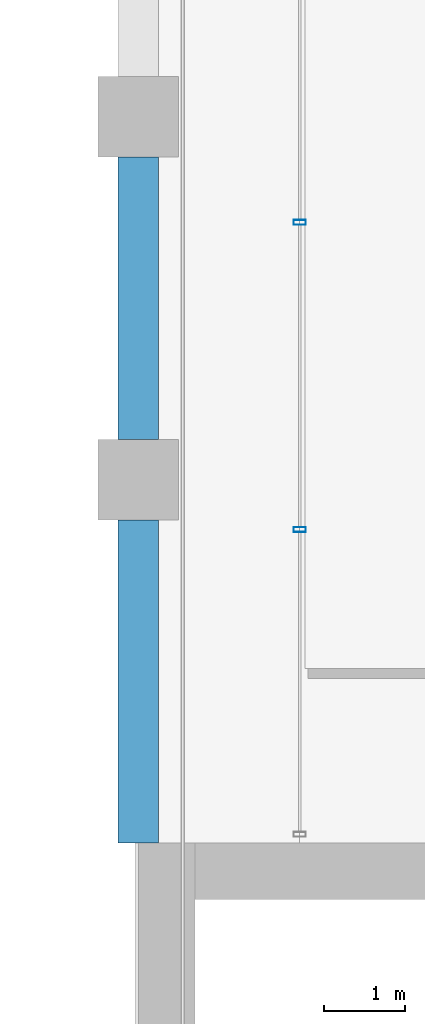
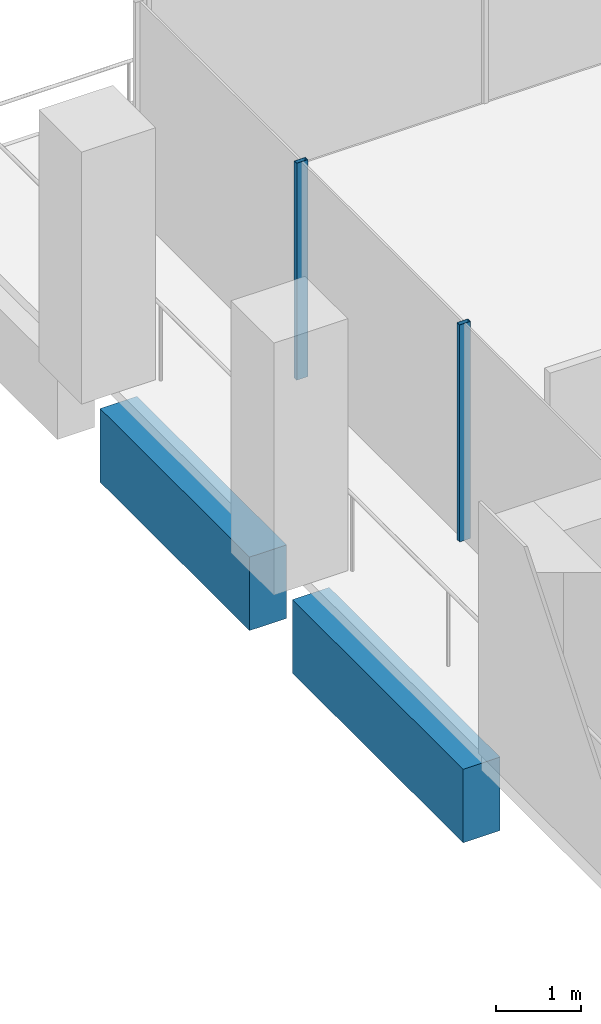
# One storey, part 20 of 46: 2 beams, 2 members, 1 element without a shape of its own.
"""IFC4 building model written with IfcOpenShell, lengths in metres."""

from ifc_helpers import new_model, si_unit, direction, frame, origin, origin_2d, place, context, subcontext, project, spatial, rectangle, hollow_rectangle, extrude, material, material_profile, profile_set, type_object, element, aggregate, save


model = new_model("IFC4")

# Units and contexts
model_context = context("Model", 3, precision=1e-05, world=origin(), true_north=direction((0.0, 1.0)))
body_context = subcontext(model_context, "Body", "Model", "MODEL_VIEW")
ifc_project = project(units=[si_unit("LENGTHUNIT", "METRE"), si_unit("AREAUNIT", "SQUARE_METRE"), si_unit("VOLUMEUNIT", "CUBIC_METRE"), si_unit("PLANEANGLEUNIT", "RADIAN"), si_unit("MASSUNIT", "GRAM", prefix="KILO")], contexts=[model_context])

# Site, building, storey
site_placement = place(None, origin())
site = spatial("IfcSite", under=ifc_project, at=site_placement, CompositionType="ELEMENT")
building_placement = place(site_placement, origin())
building = spatial("IfcBuilding", under=site, at=building_placement, Name="Altepetl Exchange Towers", CompositionType="ELEMENT")
storey_placement = place(building_placement, frame((0.0, 0.0, 128.0)))
storey = spatial("IfcBuildingStorey", under=building, at=storey_placement, Name="L31", CompositionType="ELEMENT", Elevation=128.0)

# Curtain wall, members
ifc_material_1 = material(Name="Aluminium 6063-T6 glazing", Category="aluminium")
curtain_wall_type = type_object("IfcCurtainWallType", Name="Loggia glazing system", PredefinedType="NOTDEFINED", material=ifc_material_1)
curtain_wall_placement = place(storey_placement, origin())
curtain_wall = element("IfcCurtainWall", 1, at=curtain_wall_placement, inside=storey, type_object=curtain_wall_type, Name="CW1 run", PredefinedType="NOTDEFINED")
ifc_material_2 = material(Name="Aluminium 6063-T6", Category="aluminium")
ifc_material_profile_1 = material_profile(ifc_material_2, hollow_rectangle(XDim=0.06005859375, YDim=0.14990234375, WallThickness=0.0029296875, at=origin_2d()), Name="Mullion 60x150 aluminium")
ifc_profile_set_1 = profile_set([ifc_material_profile_1], Name="Aluminium 6063-T6")
member_type = type_object("IfcMemberType", Name="Mullion 60x150 aluminium", PredefinedType="MULLION", material=ifc_profile_set_1)
member_1_placement = place(storey_placement, frame((42.5, 66.191650390625, 0.0), z_axis=(0.0, 0.0, 1.0), x_axis=(0.0, -1.0, 0.0)))
member_1 = element("IfcMember", 2, at=member_1_placement, type_object=member_type, Name="MU1 mullion", PredefinedType="MULLION", context=body_context, shape_type="SweptSolid", body=[
    extrude(hollow_rectangle(XDim=0.06005859375, YDim=0.14990234375, WallThickness=0.0029296875, at=origin_2d()), origin(), (0.0, 0.0, 1.0), 3.10009765625),
])
member_2_placement = place(storey_placement, frame((42.5, 62.38330078125, 0.0), z_axis=(0.0, 0.0, 1.0), x_axis=(0.0, -1.0, 0.0)))
member_2 = element("IfcMember", 3, at=member_2_placement, type_object=member_type, Name="MU1 mullion", PredefinedType="MULLION", context=body_context, shape_type="SweptSolid", body=[
    extrude(hollow_rectangle(XDim=0.06005859375, YDim=0.14990234375, WallThickness=0.0029296875, at=origin_2d()), origin(), (0.0, 0.0, 1.0), 3.10009765625),
])
aggregate(curtain_wall, [member_1, member_2])

# Beams
ifc_material_3 = material(Name="Concrete C50/60 precast with tezontle facing", Category="concrete")
ifc_material_profile_2 = material_profile(ifc_material_3, rectangle(XDim=0.5, YDim=1.050048828125, at=origin_2d()), Name="500 x 1050")
ifc_profile_set_2 = profile_set([ifc_material_profile_2], Name="Concrete C50/60 precast with tezontle facing")
beam_type = type_object("IfcBeamType", Name="Spandrel beam 500x1050 tezontle", PredefinedType="SPANDREL", material=ifc_profile_set_2)
beam_1_placement = place(storey_placement, frame((40.5, 67.0, -0.675048828125), z_axis=(0.0, -1.0, 0.0), x_axis=(1.0, 0.0, 0.0)))
element("IfcBeam", 4, at=beam_1_placement, inside=storey, type_object=beam_type, Name="sp:A:L31:031", PredefinedType="SPANDREL", context=body_context, shape_type="SweptSolid", body=[
    extrude(rectangle(XDim=0.5, YDim=1.050048828125, at=origin_2d()), origin(), (0.0, 0.0, 1.0), 3.5),
])
beam_2_placement = place(storey_placement, frame((40.5, 62.5, -0.675048828125), z_axis=(0.0, -1.0, 0.0), x_axis=(1.0, 0.0, 0.0)))
element("IfcBeam", 5, at=beam_2_placement, inside=storey, type_object=beam_type, Name="sp:A:L31:032", PredefinedType="SPANDREL", context=body_context, shape_type="SweptSolid", body=[
    extrude(rectangle(XDim=0.5, YDim=1.050048828125, at=origin_2d()), origin(), (0.0, 0.0, 1.0), 4.0),
])

save(model, "model.ifc")
